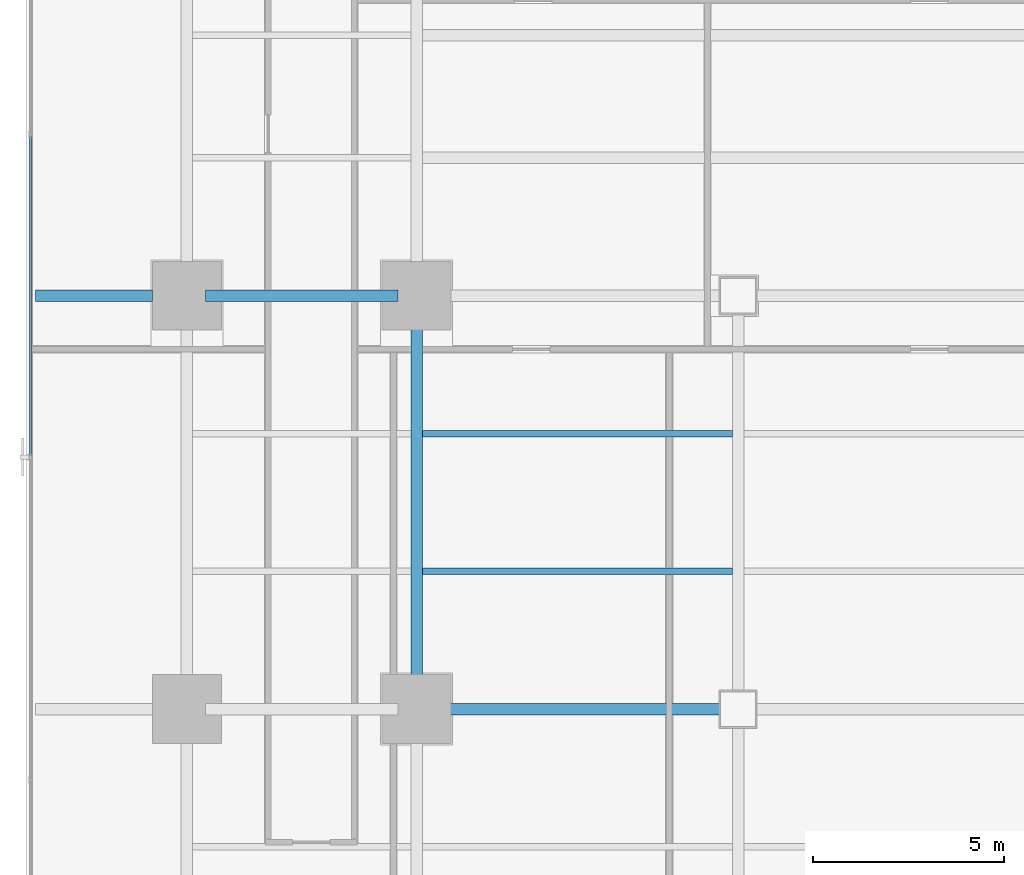
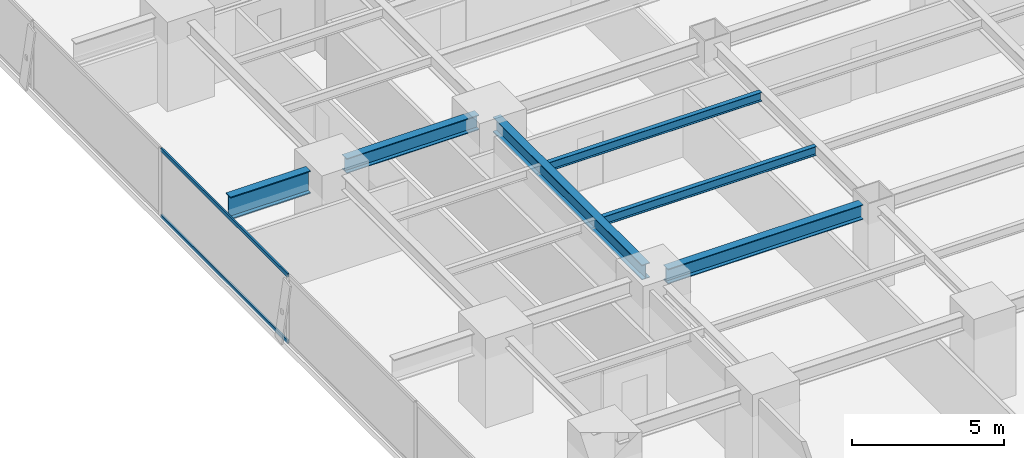
# One storey, part 8 of 32: 6 beams, 2 members, 1 element without a shape of its own.
"""IFC4 building model written with IfcOpenShell, lengths in metres."""

from ifc_helpers import new_model, si_unit, direction, frame, origin, origin_2d, place, context, subcontext, project, spatial, hollow_rectangle, i_section, extrude, source, transform, mapped, material, layer, layer_set, material_profile, profile_set, type_object, element, aggregate, save


model = new_model("IFC4")

# Units and contexts
model_context = context("Model", 3, precision=1e-05, world=origin(), true_north=direction((0.0, 1.0)))
body_context = subcontext(model_context, "Body", "Model", "MODEL_VIEW")
ifc_project = project(units=[si_unit("LENGTHUNIT", "METRE"), si_unit("AREAUNIT", "SQUARE_METRE"), si_unit("VOLUMEUNIT", "CUBIC_METRE"), si_unit("PLANEANGLEUNIT", "RADIAN"), si_unit("MASSUNIT", "GRAM", prefix="KILO")], contexts=[model_context])

# Site, building, storey
site_placement = place(None, origin())
site = spatial("IfcSite", under=ifc_project, at=site_placement, CompositionType="ELEMENT")
building_placement = place(site_placement, origin())
building = spatial("IfcBuilding", under=site, at=building_placement, Name="Sumidabori Civic Tower", CompositionType="ELEMENT")
storey_placement = place(building_placement, frame((0.0, 0.0, 52.39990234375)))
storey = spatial("IfcBuildingStorey", under=building, at=storey_placement, Name="L13", CompositionType="ELEMENT", Elevation=52.39990234375)

# Beams
ifc_material_1 = material(Name="Steel SN490", Category="steel")
ifc_material_profile_1 = material_profile(ifc_material_1, i_section(OverallWidth=0.300048828125, OverallDepth=0.60009765625, WebThickness=0.015380859375, FlangeThickness=0.030029296875, at=origin_2d()), Name="HE 600 B")
ifc_profile_set_1 = profile_set([ifc_material_profile_1], Name="Steel SN490")
beam_type_1 = type_object("IfcBeamType", Name="BM-GIRD-600", PredefinedType="BEAM", material=ifc_profile_set_1)
shared_shape_1 = source(origin(), body_context, "Body", "SweptSolid", [
    extrude(i_section(OverallWidth=0.300048828125, OverallDepth=0.60009765625, WebThickness=0.015380859375, FlangeThickness=0.030029296875, at=origin_2d()), origin(), (0.0, 0.0, 1.0), 5.0400390625),
])
beam_1_placement = place(storey_placement, frame((-22.320068359375, 0.0, 3.06005859375), z_axis=(1.0, 0.0, 0.0), x_axis=(0.0, 1.0, 0.0)))
element("IfcBeam", 1, at=beam_1_placement, inside=storey, type_object=beam_type_1, Name="Primary Girder L13 GX-13", PredefinedType="BEAM", context=body_context, shape_type="MappedRepresentation", body=[
    mapped(shared_shape_1, transform((0.0, 0.0, 0.0), x_axis=(1.0, 0.0, 0.0), y_axis=(0.0, 1.0, 0.0), z_axis=(0.0, 0.0, 1.0), scale=1.0)),
])
shared_shape_2 = source(origin(), body_context, "Body", "SweptSolid", [
    extrude(i_section(OverallWidth=0.300048828125, OverallDepth=0.60009765625, WebThickness=0.015380859375, FlangeThickness=0.030029296875, at=origin_2d()), origin(), (0.0, 0.0, 1.0), 7.440185546875),
])
beam_2_placement = place(storey_placement, frame((-16.320068359375, -10.800048828125, 3.06005859375), z_axis=(1.0, 0.0, 0.0), x_axis=(0.0, 1.0, 0.0)))
element("IfcBeam", 2, at=beam_2_placement, inside=storey, type_object=beam_type_1, Name="Primary Girder L13 GX-08", PredefinedType="BEAM", context=body_context, shape_type="MappedRepresentation", body=[
    mapped(shared_shape_2, transform((0.0, 0.0, 0.0), x_axis=(1.0, 0.0, 0.0), y_axis=(0.0, 1.0, 0.0), z_axis=(0.0, 0.0, 1.0), scale=1.0)),
])
shared_shape_3 = source(origin(), body_context, "Body", "SweptSolid", [
    extrude(i_section(OverallWidth=0.300048828125, OverallDepth=0.60009765625, WebThickness=0.015380859375, FlangeThickness=0.030029296875, at=origin_2d()), origin(), (0.0, 0.0, 1.0), 9.840087890625),
])
beam_3_placement = place(storey_placement, frame((-16.800048828125, -10.320068359375, 3.06005859375), z_axis=(0.0, 1.0, 0.0), x_axis=(-1.0, 0.0, 0.0)))
element("IfcBeam", 3, at=beam_3_placement, inside=storey, type_object=beam_type_1, Name="Primary Girder L13 GY-26", PredefinedType="BEAM", context=body_context, shape_type="MappedRepresentation", body=[
    mapped(shared_shape_3, transform((0.0, 0.0, 0.0), x_axis=(1.0, 0.0, 0.0), y_axis=(0.0, 1.0, 0.0), z_axis=(0.0, 0.0, 1.0), scale=1.0)),
])
ifc_material_profile_2 = material_profile(ifc_material_1, i_section(OverallWidth=0.302001953125, OverallDepth=0.909912109375, WebThickness=0.02099609375, FlangeThickness=0.0400390625, at=origin_2d()), Name="HE 900 M")
ifc_profile_set_2 = profile_set([ifc_material_profile_2], Name="Steel SN490")
beam_type_2 = type_object("IfcBeamType", Name="BM-Z1-EDGE", PredefinedType="SPANDREL", material=ifc_profile_set_2)
shared_shape_4 = source(origin(), body_context, "Body", "SweptSolid", [
    extrude(i_section(OverallWidth=0.302001953125, OverallDepth=0.909912109375, WebThickness=0.02099609375, FlangeThickness=0.0400390625, at=origin_2d()), origin(), (0.0, 0.0, 1.0), 3.050048828125),
])
beam_4_placement = place(storey_placement, frame((-26.75, 0.0, 2.905029296875), z_axis=(1.0, 0.0, 0.0), x_axis=(0.0, 1.0, 0.0)))
element("IfcBeam", 4, at=beam_4_placement, inside=storey, type_object=beam_type_2, Name="Perimeter Overhang Beam L13 W-46", PredefinedType="SPANDREL", context=body_context, shape_type="MappedRepresentation", body=[
    mapped(shared_shape_4, transform((0.0, 0.0, 0.0), x_axis=(1.0, 0.0, 0.0), y_axis=(0.0, 1.0, 0.0), z_axis=(0.0, 0.0, 1.0), scale=1.0)),
])
ifc_material_profile_3 = material_profile(ifc_material_1, i_section(OverallWidth=0.169921875, OverallDepth=0.360107421875, WebThickness=0.008056640625, FlangeThickness=0.0126953125, at=origin_2d()), Name="IPE 360")
ifc_profile_set_3 = profile_set([ifc_material_profile_3], Name="Steel SN490")
beam_type_3 = type_object("IfcBeamType", Name="BM-JST-360", PredefinedType="JOIST", material=ifc_profile_set_3)
shared_shape_5 = source(origin(), body_context, "Body", "SweptSolid", [
    extrude(i_section(OverallWidth=0.169921875, OverallDepth=0.360107421875, WebThickness=0.008056640625, FlangeThickness=0.0126953125, at=origin_2d()), origin(), (0.0, 0.0, 1.0), 8.099853515625),
])
for number, where, z_axis, x_axis, name in (
    (5, (-16.64990234375, -7.199951171875, 3.18017578125), (1.0, 0.0, 0.0), (0.0, 1.0, 0.0), "South Bay Floor Joist L13 JSTS-65"),
    (6, (-16.64990234375, -3.60009765625, 3.18017578125), (1.0, 0.0, 0.0), (0.0, 1.0, 0.0), "South Bay Floor Joist L13 JSTS-69"),
):
    element("IfcBeam", number, at=place(storey_placement, frame(where, z_axis=z_axis, x_axis=x_axis)), inside=storey, type_object=beam_type_3, Name=name, PredefinedType="JOIST", context=body_context, shape_type="MappedRepresentation", body=[
        mapped(shared_shape_5, transform((0.0, 0.0, 0.0), x_axis=(1.0, 0.0, 0.0), y_axis=(0.0, 1.0, 0.0), z_axis=(0.0, 0.0, 1.0), scale=1.0)),
    ])

# Curtain wall, members
ifc_material_2 = material(Name="Anodised Bronze Aluminium AW-6063-T6", Category="aluminium")
ifc_layer = layer(ifc_material_2, 0.179931640625, Name="Anodised Bronze Aluminium AW-6063-T6")
ifc_layer_set = layer_set([ifc_layer], Name="Anodised Bronze Aluminium AW-6063-T6")
curtain_wall_type = type_object("IfcCurtainWallType", Name="CW-SYS-2", PredefinedType="NOTDEFINED", material=ifc_layer_set)
curtain_wall_placement = place(storey_placement, origin())
curtain_wall = element("IfcCurtainWall", 7, at=curtain_wall_placement, inside=storey, type_object=curtain_wall_type, Name="Curtain Wall CW:L13:R10", PredefinedType="NOTDEFINED")
ifc_material_profile_4 = material_profile(ifc_material_2, hollow_rectangle(XDim=0.06494140625, YDim=0.14990234375, WallThickness=0.0048828125, at=origin_2d()), Name="ALU TRANSOM 150x65")
ifc_profile_set_4 = profile_set([ifc_material_profile_4], Name="Anodised Bronze Aluminium AW-6063-T6")
member_type = type_object("IfcMemberType", Name="CW-TRN-150", PredefinedType="USERDEFINED", material=ifc_profile_set_4)
shared_shape_6 = source(origin(), body_context, "Body", "SweptSolid", [
    extrude(hollow_rectangle(XDim=0.06494140625, YDim=0.14990234375, WallThickness=0.0048828125, at=origin_2d()), origin(), (0.0, 0.0, 1.0), 8.35791015625),
])
member_1_placement = place(storey_placement, frame((-26.8798828125, 4.178955078125, 0.03271484375), z_axis=(0.0, -1.0, 0.0), x_axis=(1.0, 0.0, 0.0)))
member_1 = element("IfcMember", 8, at=member_1_placement, type_object=member_type, Name="CW-2 transom 3.1", ObjectType="TRANSOM", PredefinedType="USERDEFINED", context=body_context, shape_type="MappedRepresentation", body=[
    mapped(shared_shape_6, transform((0.0, 0.0, 0.0), x_axis=(1.0, 0.0, 0.0), y_axis=(0.0, 1.0, 0.0), z_axis=(0.0, 0.0, 1.0), scale=1.0)),
])
member_2_placement = place(storey_placement, frame((-26.8798828125, 4.178955078125, 2.70751953125), z_axis=(0.0, -1.0, 0.0), x_axis=(1.0, 0.0, 0.0)))
member_2 = element("IfcMember", 9, at=member_2_placement, type_object=member_type, Name="CW-2 transom 3.2", ObjectType="TRANSOM", PredefinedType="USERDEFINED", context=body_context, shape_type="MappedRepresentation", body=[
    mapped(shared_shape_6, transform((0.0, 0.0, 0.0), x_axis=(1.0, 0.0, 0.0), y_axis=(0.0, 1.0, 0.0), z_axis=(0.0, 0.0, 1.0), scale=1.0)),
])
aggregate(curtain_wall, [member_1, member_2])

save(model, "model.ifc")
